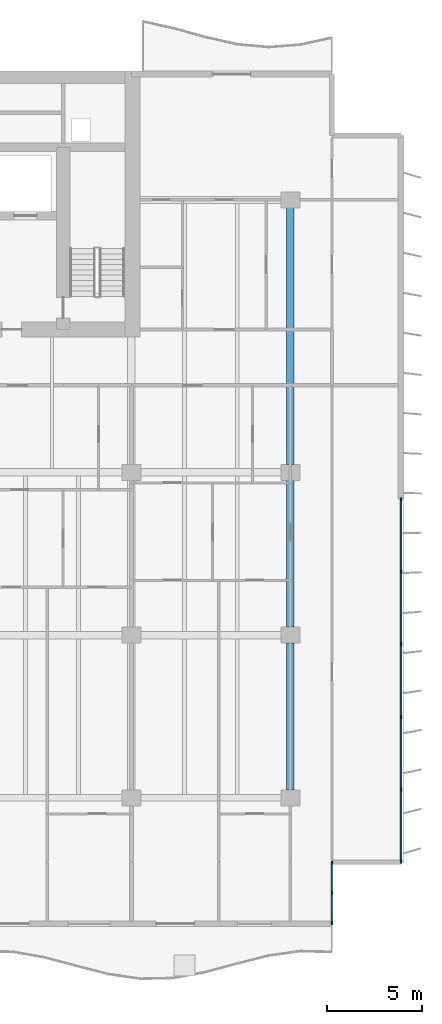
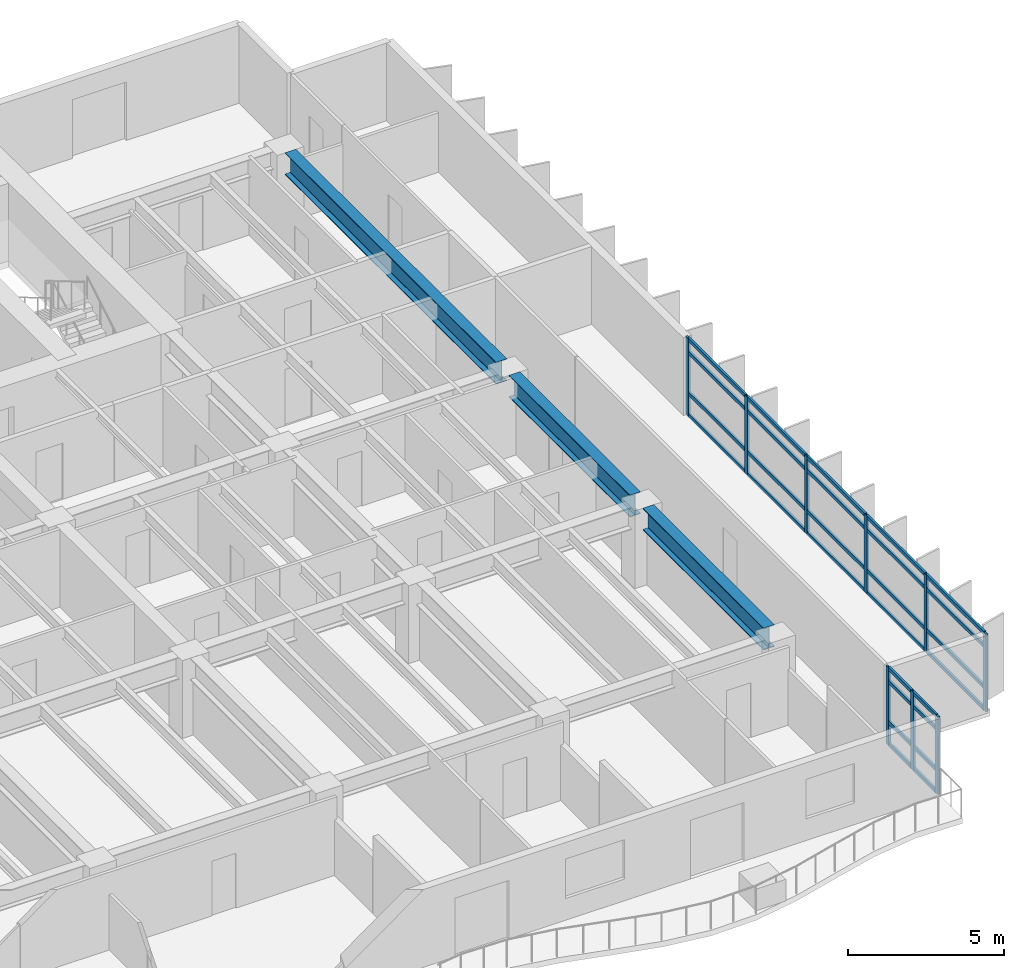
# One storey, part 4 of 15: 37 members, 3 beams, 2 elements without a shape of their own.
"""IFC4 building model written with IfcOpenShell, lengths in metres."""

from ifc_helpers import new_model, si_unit, direction, frame, origin, origin_2d, place, context, subcontext, project, spatial, rectangle, i_section, extrude, material, layer, layer_set, material_profile, profile_set, type_object, element, aggregate, save


model = new_model("IFC4")

# Units and contexts
model_context = context("Model", 3, precision=1e-05, world=origin(), true_north=direction((0.0, 1.0)))
body_context = subcontext(model_context, "Body", "Model", "MODEL_VIEW")
ifc_project = project(units=[si_unit("LENGTHUNIT", "METRE"), si_unit("AREAUNIT", "SQUARE_METRE"), si_unit("VOLUMEUNIT", "CUBIC_METRE"), si_unit("PLANEANGLEUNIT", "RADIAN"), si_unit("MASSUNIT", "GRAM", prefix="KILO")], contexts=[model_context])

# Site, building, storey
site_placement = place(None, origin())
site = spatial("IfcSite", under=ifc_project, at=site_placement, CompositionType="ELEMENT")
building_placement = place(site_placement, origin())
building = spatial("IfcBuilding", under=site, at=building_placement, Name="Caelmar Bay Residences", CompositionType="ELEMENT")
storey_placement = place(building_placement, frame((0.0, 0.0, 132.300048828125)))
storey = spatial("IfcBuildingStorey", under=building, at=storey_placement, Name="L36", CompositionType="ELEMENT", Elevation=132.300048828125)

# Beams
ifc_material_1 = material(Name="Steel ASTM A992 Grade 50", Category="steel")
ifc_material_profile_1 = material_profile(ifc_material_1, i_section(OverallWidth=0.40087890625, OverallDepth=0.861083984375, WebThickness=0.019775390625, FlangeThickness=0.032470703125, FilletRadius=0.017822265625, at=origin_2d()), Name="W33X221")
ifc_profile_set_1 = profile_set([ifc_material_profile_1], Name="Steel ASTM A992 Grade 50")
beam_type = type_object("IfcBeamType", Name="BM-GRD-W33X221", PredefinedType="BEAM", material=ifc_profile_set_1)
for number, where, z_axis, x_axis, name in (
    (1, (67.89990234375, 12.614990234375, 2.619384765625), (0.0, 1.0, 0.0), (-1.0, 0.0, 0.0), "L36 North-South Girder X=67.90 (12.2-20.8)"),
    (2, (67.89990234375, 21.215087890625, 2.619384765625), (0.0, 1.0, 0.0), (-1.0, 0.0, 0.0), "L36 North-South Girder X=67.90 (20.8-29.4)"),
):
    element("IfcBeam", number, at=place(storey_placement, frame(where, z_axis=z_axis, x_axis=x_axis)), inside=storey, type_object=beam_type, Name=name, PredefinedType="BEAM", context=body_context, shape_type="SweptSolid", body=[
        extrude(i_section(OverallWidth=0.40087890625, OverallDepth=0.861083984375, WebThickness=0.019775390625, FlangeThickness=0.032470703125, FilletRadius=0.017822265625, at=origin_2d()), origin(), (0.0, 0.0, 1.0), 7.77001953125),
    ])
beam_placement = place(storey_placement, frame((67.89990234375, 29.81494140625, 2.619384765625), z_axis=(0.0, 1.0, 0.0), x_axis=(-1.0, 0.0, 0.0)))
element("IfcBeam", 3, at=beam_placement, inside=storey, type_object=beam_type, Name="L36 North-South Girder X=67.90 (29.4-43.8)", PredefinedType="BEAM", context=body_context, shape_type="SweptSolid", body=[
    extrude(i_section(OverallWidth=0.40087890625, OverallDepth=0.861083984375, WebThickness=0.019775390625, FlangeThickness=0.032470703125, FilletRadius=0.017822265625, at=origin_2d()), origin(), (0.0, 0.0, 1.0), 13.570068359375),
])

# Curtain wall, members
ifc_material_2 = material(Name="Anodised bronze aluminium 6063-T6 and laminated glass", Category="aluminium")
ifc_layer_1 = layer(ifc_material_2, 0.179931640625)
ifc_layer_set_1 = layer_set([ifc_layer_1], Name="Anodised bronze aluminium 6063-T6 and laminated glass")
curtain_wall_type_1 = type_object("IfcCurtainWallType", Name="CW6-NTC", PredefinedType="NOTDEFINED", material=ifc_layer_set_1)
curtain_wall_1_placement = place(storey_placement, origin())
curtain_wall_1 = element("IfcCurtainWall", 4, at=curtain_wall_1_placement, inside=storey, type_object=curtain_wall_type_1, Name="CW6 curtain wall L36", PredefinedType="NOTDEFINED")
ifc_material_3 = material(Name="Anodised bronze aluminium 6063-T6", Category="aluminium")
ifc_material_profile_2 = material_profile(ifc_material_3, rectangle(XDim=0.080078125, YDim=0.179931640625, at=origin_2d()), Name="CWM-80X180")
ifc_profile_set_2 = profile_set([ifc_material_profile_2], Name="Anodised bronze aluminium 6063-T6")
member_type_1 = type_object("IfcMemberType", Name="CWM-180", PredefinedType="MULLION", material=ifc_profile_set_2)
member_1_placement = place(storey_placement, frame((70.10009765625, 5.590087890625, 0.0), z_axis=(0.0, 0.0, 1.0), x_axis=(-1.0, 0.0, 0.0)))
member_1 = element("IfcMember", 5, at=member_1_placement, type_object=member_type_1, Name="CW6 mullion 1", PredefinedType="MULLION", context=body_context, shape_type="SweptSolid", body=[
    extrude(rectangle(XDim=0.080078125, YDim=0.179931640625, at=origin_2d()), origin(), (0.0, 0.0, 1.0), 3.050048828125),
])
member_2_placement = place(storey_placement, frame((70.10009765625, 7.175048828125, 0.0), z_axis=(0.0, 0.0, 1.0), x_axis=(-1.0, 0.0, 0.0)))
member_2 = element("IfcMember", 6, at=member_2_placement, type_object=member_type_1, Name="CW6 mullion 2", PredefinedType="MULLION", context=body_context, shape_type="SweptSolid", body=[
    extrude(rectangle(XDim=0.080078125, YDim=0.179931640625, at=origin_2d()), origin(), (0.0, 0.0, 1.0), 3.050048828125),
])
member_3_placement = place(storey_placement, frame((70.10009765625, 8.760009765625, 0.0), z_axis=(0.0, 0.0, 1.0), x_axis=(-1.0, 0.0, 0.0)))
member_3 = element("IfcMember", 7, at=member_3_placement, type_object=member_type_1, Name="CW6 mullion 3", PredefinedType="MULLION", context=body_context, shape_type="SweptSolid", body=[
    extrude(rectangle(XDim=0.080078125, YDim=0.179931640625, at=origin_2d()), origin(), (0.0, 0.0, 1.0), 3.050048828125),
])

ifc_layer_2 = layer(ifc_material_2, 0.179931640625)
ifc_layer_set_2 = layer_set([ifc_layer_2], Name="Anodised bronze aluminium 6063-T6 and laminated glass")
curtain_wall_type_2 = type_object("IfcCurtainWallType", Name="CW3-Z2", PredefinedType="NOTDEFINED", material=ifc_layer_set_2)
curtain_wall_2_placement = place(storey_placement, origin())
curtain_wall_2 = element("IfcCurtainWall", 8, at=curtain_wall_2_placement, inside=storey, type_object=curtain_wall_type_2, Name="CW3 curtain wall L36", PredefinedType="NOTDEFINED")
member_4_placement = place(storey_placement, frame((73.75, 27.9599609375, 0.0), z_axis=(0.0, 0.0, 1.0), x_axis=(1.0, 0.0, 0.0)))
member_4 = element("IfcMember", 9, at=member_4_placement, type_object=member_type_1, Name="CW3 mullion 1", PredefinedType="MULLION", context=body_context, shape_type="SweptSolid", body=[
    extrude(rectangle(XDim=0.080078125, YDim=0.179931640625, at=origin_2d()), origin(), (0.0, 0.0, 1.0), 3.050048828125),
])
member_5_placement = place(storey_placement, frame((73.75, 24.159912109375, 0.0), z_axis=(0.0, 0.0, 1.0), x_axis=(1.0, 0.0, 0.0)))
member_5 = element("IfcMember", 10, at=member_5_placement, type_object=member_type_1, Name="CW3 mullion 2", PredefinedType="MULLION", context=body_context, shape_type="SweptSolid", body=[
    extrude(rectangle(XDim=0.080078125, YDim=0.179931640625, at=origin_2d()), origin(), (0.0, 0.0, 1.0), 3.050048828125),
])
member_6_placement = place(storey_placement, frame((73.75, 20.320068359375, 0.0), z_axis=(0.0, 0.0, 1.0), x_axis=(1.0, 0.0, 0.0)))
member_6 = element("IfcMember", 11, at=member_6_placement, type_object=member_type_1, Name="CW3 mullion 3", PredefinedType="MULLION", context=body_context, shape_type="SweptSolid", body=[
    extrude(rectangle(XDim=0.080078125, YDim=0.179931640625, at=origin_2d()), origin(), (0.0, 0.0, 1.0), 3.050048828125),
])
member_7_placement = place(storey_placement, frame((73.75, 16.47998046875, 0.0), z_axis=(0.0, 0.0, 1.0), x_axis=(1.0, 0.0, 0.0)))
member_7 = element("IfcMember", 12, at=member_7_placement, type_object=member_type_1, Name="CW3 mullion 4", PredefinedType="MULLION", context=body_context, shape_type="SweptSolid", body=[
    extrude(rectangle(XDim=0.080078125, YDim=0.179931640625, at=origin_2d()), origin(), (0.0, 0.0, 1.0), 3.050048828125),
])
member_8_placement = place(storey_placement, frame((73.75, 12.639892578125, 0.0), z_axis=(0.0, 0.0, 1.0), x_axis=(1.0, 0.0, 0.0)))
member_8 = element("IfcMember", 13, at=member_8_placement, type_object=member_type_1, Name="CW3 mullion 5", PredefinedType="MULLION", context=body_context, shape_type="SweptSolid", body=[
    extrude(rectangle(XDim=0.080078125, YDim=0.179931640625, at=origin_2d()), origin(), (0.0, 0.0, 1.0), 3.050048828125),
])
member_9_placement = place(storey_placement, frame((73.75, 8.840087890625, 0.0), z_axis=(0.0, 0.0, 1.0), x_axis=(1.0, 0.0, 0.0)))
member_9 = element("IfcMember", 14, at=member_9_placement, type_object=member_type_1, Name="CW3 mullion 6", PredefinedType="MULLION", context=body_context, shape_type="SweptSolid", body=[
    extrude(rectangle(XDim=0.080078125, YDim=0.179931640625, at=origin_2d()), origin(), (0.0, 0.0, 1.0), 3.050048828125),
])

# Member
ifc_material_profile_3 = material_profile(ifc_material_3, rectangle(XDim=0.080078125, YDim=0.139892578125, at=origin_2d()), Name="CWT-80X140")
ifc_profile_set_3 = profile_set([ifc_material_profile_3], Name="Anodised bronze aluminium 6063-T6")
member_type_2 = type_object("IfcMemberType", Name="CWT-140", PredefinedType="NOTDEFINED", material=ifc_profile_set_3)
member_10_placement = place(storey_placement, frame((70.10009765625, 5.6298828125, 0.0400390625), z_axis=(0.0, 1.0, 0.0), x_axis=(-1.0, 0.0, 0.0)))
member_10 = element("IfcMember", 15, at=member_10_placement, type_object=member_type_2, Name="CW6 transom 1.1", ObjectType="TRANSOM", PredefinedType="USERDEFINED", context=body_context, shape_type="SweptSolid", body=[
    extrude(rectangle(XDim=0.080078125, YDim=0.139892578125, at=origin_2d()), origin(), (0.0, 0.0, 1.0), 1.505126953125),
])

member_11_placement = place(storey_placement, frame((70.10009765625, 5.6298828125, 0.89990234375), z_axis=(0.0, 1.0, 0.0), x_axis=(-1.0, 0.0, 0.0)))
member_11 = element("IfcMember", 16, at=member_11_placement, type_object=member_type_2, Name="CW6 transom 1.2", ObjectType="TRANSOM", PredefinedType="USERDEFINED", context=body_context, shape_type="SweptSolid", body=[
    extrude(rectangle(XDim=0.080078125, YDim=0.139892578125, at=origin_2d()), origin(), (0.0, 0.0, 1.0), 1.505126953125),
])

member_12_placement = place(storey_placement, frame((70.10009765625, 5.6298828125, 2.5), z_axis=(0.0, 1.0, 0.0), x_axis=(-1.0, 0.0, 0.0)))
member_12 = element("IfcMember", 17, at=member_12_placement, type_object=member_type_2, Name="CW6 transom 1.3", ObjectType="TRANSOM", PredefinedType="USERDEFINED", context=body_context, shape_type="SweptSolid", body=[
    extrude(rectangle(XDim=0.080078125, YDim=0.139892578125, at=origin_2d()), origin(), (0.0, 0.0, 1.0), 1.505126953125),
])

member_13_placement = place(storey_placement, frame((70.10009765625, 5.6298828125, 3.010009765625), z_axis=(0.0, 1.0, 0.0), x_axis=(-1.0, 0.0, 0.0)))
member_13 = element("IfcMember", 18, at=member_13_placement, type_object=member_type_2, Name="CW6 transom 1.4", ObjectType="TRANSOM", PredefinedType="USERDEFINED", context=body_context, shape_type="SweptSolid", body=[
    extrude(rectangle(XDim=0.080078125, YDim=0.139892578125, at=origin_2d()), origin(), (0.0, 0.0, 1.0), 1.505126953125),
])

member_14_placement = place(storey_placement, frame((70.10009765625, 7.215087890625, 0.0400390625), z_axis=(0.0, 1.0, 0.0), x_axis=(-1.0, 0.0, 0.0)))
member_14 = element("IfcMember", 19, at=member_14_placement, type_object=member_type_2, Name="CW6 transom 2.1", ObjectType="TRANSOM", PredefinedType="USERDEFINED", context=body_context, shape_type="SweptSolid", body=[
    extrude(rectangle(XDim=0.080078125, YDim=0.139892578125, at=origin_2d()), origin(), (0.0, 0.0, 1.0), 1.5048828125),
])

member_15_placement = place(storey_placement, frame((70.10009765625, 7.215087890625, 0.89990234375), z_axis=(0.0, 1.0, 0.0), x_axis=(-1.0, 0.0, 0.0)))
member_15 = element("IfcMember", 20, at=member_15_placement, type_object=member_type_2, Name="CW6 transom 2.2", ObjectType="TRANSOM", PredefinedType="USERDEFINED", context=body_context, shape_type="SweptSolid", body=[
    extrude(rectangle(XDim=0.080078125, YDim=0.139892578125, at=origin_2d()), origin(), (0.0, 0.0, 1.0), 1.5048828125),
])

member_16_placement = place(storey_placement, frame((70.10009765625, 7.215087890625, 2.5), z_axis=(0.0, 1.0, 0.0), x_axis=(-1.0, 0.0, 0.0)))
member_16 = element("IfcMember", 21, at=member_16_placement, type_object=member_type_2, Name="CW6 transom 2.3", ObjectType="TRANSOM", PredefinedType="USERDEFINED", context=body_context, shape_type="SweptSolid", body=[
    extrude(rectangle(XDim=0.080078125, YDim=0.139892578125, at=origin_2d()), origin(), (0.0, 0.0, 1.0), 1.5048828125),
])

member_17_placement = place(storey_placement, frame((70.10009765625, 7.215087890625, 3.010009765625), z_axis=(0.0, 1.0, 0.0), x_axis=(-1.0, 0.0, 0.0)))
member_17 = element("IfcMember", 22, at=member_17_placement, type_object=member_type_2, Name="CW6 transom 2.4", ObjectType="TRANSOM", PredefinedType="USERDEFINED", context=body_context, shape_type="SweptSolid", body=[
    extrude(rectangle(XDim=0.080078125, YDim=0.139892578125, at=origin_2d()), origin(), (0.0, 0.0, 1.0), 1.5048828125),
])

aggregate(curtain_wall_1, [member_1, member_2, member_3, member_10, member_11, member_12, member_13, member_14, member_15, member_16, member_17])

member_18_placement = place(storey_placement, frame((73.75, 27.919921875, 0.0400390625), z_axis=(0.0, -1.0, 0.0), x_axis=(1.0, 0.0, 0.0)))
member_18 = element("IfcMember", 23, at=member_18_placement, type_object=member_type_2, Name="CW3 transom 1.1", ObjectType="TRANSOM", PredefinedType="USERDEFINED", context=body_context, shape_type="SweptSolid", body=[
    extrude(rectangle(XDim=0.080078125, YDim=0.139892578125, at=origin_2d()), origin(), (0.0, 0.0, 1.0), 3.719970703125),
])

member_19_placement = place(storey_placement, frame((73.75, 27.919921875, 0.89990234375), z_axis=(0.0, -1.0, 0.0), x_axis=(1.0, 0.0, 0.0)))
member_19 = element("IfcMember", 24, at=member_19_placement, type_object=member_type_2, Name="CW3 transom 1.2", ObjectType="TRANSOM", PredefinedType="USERDEFINED", context=body_context, shape_type="SweptSolid", body=[
    extrude(rectangle(XDim=0.080078125, YDim=0.139892578125, at=origin_2d()), origin(), (0.0, 0.0, 1.0), 3.719970703125),
])

member_20_placement = place(storey_placement, frame((73.75, 27.919921875, 2.5), z_axis=(0.0, -1.0, 0.0), x_axis=(1.0, 0.0, 0.0)))
member_20 = element("IfcMember", 25, at=member_20_placement, type_object=member_type_2, Name="CW3 transom 1.3", ObjectType="TRANSOM", PredefinedType="USERDEFINED", context=body_context, shape_type="SweptSolid", body=[
    extrude(rectangle(XDim=0.080078125, YDim=0.139892578125, at=origin_2d()), origin(), (0.0, 0.0, 1.0), 3.719970703125),
])

member_21_placement = place(storey_placement, frame((73.75, 27.919921875, 3.010009765625), z_axis=(0.0, -1.0, 0.0), x_axis=(1.0, 0.0, 0.0)))
member_21 = element("IfcMember", 26, at=member_21_placement, type_object=member_type_2, Name="CW3 transom 1.4", ObjectType="TRANSOM", PredefinedType="USERDEFINED", context=body_context, shape_type="SweptSolid", body=[
    extrude(rectangle(XDim=0.080078125, YDim=0.139892578125, at=origin_2d()), origin(), (0.0, 0.0, 1.0), 3.719970703125),
])

member_22_placement = place(storey_placement, frame((73.75, 24.1201171875, 0.0400390625), z_axis=(0.0, -1.0, 0.0), x_axis=(1.0, 0.0, 0.0)))
member_22 = element("IfcMember", 27, at=member_22_placement, type_object=member_type_2, Name="CW3 transom 2.1", ObjectType="TRANSOM", PredefinedType="USERDEFINED", context=body_context, shape_type="SweptSolid", body=[
    extrude(rectangle(XDim=0.080078125, YDim=0.139892578125, at=origin_2d()), origin(), (0.0, 0.0, 1.0), 3.760009765625),
])

member_23_placement = place(storey_placement, frame((73.75, 24.1201171875, 0.89990234375), z_axis=(0.0, -1.0, 0.0), x_axis=(1.0, 0.0, 0.0)))
member_23 = element("IfcMember", 28, at=member_23_placement, type_object=member_type_2, Name="CW3 transom 2.2", ObjectType="TRANSOM", PredefinedType="USERDEFINED", context=body_context, shape_type="SweptSolid", body=[
    extrude(rectangle(XDim=0.080078125, YDim=0.139892578125, at=origin_2d()), origin(), (0.0, 0.0, 1.0), 3.760009765625),
])

member_24_placement = place(storey_placement, frame((73.75, 24.1201171875, 2.5), z_axis=(0.0, -1.0, 0.0), x_axis=(1.0, 0.0, 0.0)))
member_24 = element("IfcMember", 29, at=member_24_placement, type_object=member_type_2, Name="CW3 transom 2.3", ObjectType="TRANSOM", PredefinedType="USERDEFINED", context=body_context, shape_type="SweptSolid", body=[
    extrude(rectangle(XDim=0.080078125, YDim=0.139892578125, at=origin_2d()), origin(), (0.0, 0.0, 1.0), 3.760009765625),
])

member_25_placement = place(storey_placement, frame((73.75, 24.1201171875, 3.010009765625), z_axis=(0.0, -1.0, 0.0), x_axis=(1.0, 0.0, 0.0)))
member_25 = element("IfcMember", 30, at=member_25_placement, type_object=member_type_2, Name="CW3 transom 2.4", ObjectType="TRANSOM", PredefinedType="USERDEFINED", context=body_context, shape_type="SweptSolid", body=[
    extrude(rectangle(XDim=0.080078125, YDim=0.139892578125, at=origin_2d()), origin(), (0.0, 0.0, 1.0), 3.760009765625),
])

member_26_placement = place(storey_placement, frame((73.75, 20.280029296875, 0.0400390625), z_axis=(0.0, -1.0, 0.0), x_axis=(1.0, 0.0, 0.0)))
member_26 = element("IfcMember", 31, at=member_26_placement, type_object=member_type_2, Name="CW3 transom 3.1", ObjectType="TRANSOM", PredefinedType="USERDEFINED", context=body_context, shape_type="SweptSolid", body=[
    extrude(rectangle(XDim=0.080078125, YDim=0.139892578125, at=origin_2d()), origin(), (0.0, 0.0, 1.0), 3.760009765625),
])

member_27_placement = place(storey_placement, frame((73.75, 20.280029296875, 0.89990234375), z_axis=(0.0, -1.0, 0.0), x_axis=(1.0, 0.0, 0.0)))
member_27 = element("IfcMember", 32, at=member_27_placement, type_object=member_type_2, Name="CW3 transom 3.2", ObjectType="TRANSOM", PredefinedType="USERDEFINED", context=body_context, shape_type="SweptSolid", body=[
    extrude(rectangle(XDim=0.080078125, YDim=0.139892578125, at=origin_2d()), origin(), (0.0, 0.0, 1.0), 3.760009765625),
])

member_28_placement = place(storey_placement, frame((73.75, 20.280029296875, 2.5), z_axis=(0.0, -1.0, 0.0), x_axis=(1.0, 0.0, 0.0)))
member_28 = element("IfcMember", 33, at=member_28_placement, type_object=member_type_2, Name="CW3 transom 3.3", ObjectType="TRANSOM", PredefinedType="USERDEFINED", context=body_context, shape_type="SweptSolid", body=[
    extrude(rectangle(XDim=0.080078125, YDim=0.139892578125, at=origin_2d()), origin(), (0.0, 0.0, 1.0), 3.760009765625),
])

member_29_placement = place(storey_placement, frame((73.75, 20.280029296875, 3.010009765625), z_axis=(0.0, -1.0, 0.0), x_axis=(1.0, 0.0, 0.0)))
member_29 = element("IfcMember", 34, at=member_29_placement, type_object=member_type_2, Name="CW3 transom 3.4", ObjectType="TRANSOM", PredefinedType="USERDEFINED", context=body_context, shape_type="SweptSolid", body=[
    extrude(rectangle(XDim=0.080078125, YDim=0.139892578125, at=origin_2d()), origin(), (0.0, 0.0, 1.0), 3.760009765625),
])

member_30_placement = place(storey_placement, frame((73.75, 16.43994140625, 0.0400390625), z_axis=(0.0, -1.0, 0.0), x_axis=(1.0, 0.0, 0.0)))
member_30 = element("IfcMember", 35, at=member_30_placement, type_object=member_type_2, Name="CW3 transom 4.1", ObjectType="TRANSOM", PredefinedType="USERDEFINED", context=body_context, shape_type="SweptSolid", body=[
    extrude(rectangle(XDim=0.080078125, YDim=0.139892578125, at=origin_2d()), origin(), (0.0, 0.0, 1.0), 3.760009765625),
])

member_31_placement = place(storey_placement, frame((73.75, 16.43994140625, 0.89990234375), z_axis=(0.0, -1.0, 0.0), x_axis=(1.0, 0.0, 0.0)))
member_31 = element("IfcMember", 36, at=member_31_placement, type_object=member_type_2, Name="CW3 transom 4.2", ObjectType="TRANSOM", PredefinedType="USERDEFINED", context=body_context, shape_type="SweptSolid", body=[
    extrude(rectangle(XDim=0.080078125, YDim=0.139892578125, at=origin_2d()), origin(), (0.0, 0.0, 1.0), 3.760009765625),
])

member_32_placement = place(storey_placement, frame((73.75, 16.43994140625, 2.5), z_axis=(0.0, -1.0, 0.0), x_axis=(1.0, 0.0, 0.0)))
member_32 = element("IfcMember", 37, at=member_32_placement, type_object=member_type_2, Name="CW3 transom 4.3", ObjectType="TRANSOM", PredefinedType="USERDEFINED", context=body_context, shape_type="SweptSolid", body=[
    extrude(rectangle(XDim=0.080078125, YDim=0.139892578125, at=origin_2d()), origin(), (0.0, 0.0, 1.0), 3.760009765625),
])

member_33_placement = place(storey_placement, frame((73.75, 16.43994140625, 3.010009765625), z_axis=(0.0, -1.0, 0.0), x_axis=(1.0, 0.0, 0.0)))
member_33 = element("IfcMember", 38, at=member_33_placement, type_object=member_type_2, Name="CW3 transom 4.4", ObjectType="TRANSOM", PredefinedType="USERDEFINED", context=body_context, shape_type="SweptSolid", body=[
    extrude(rectangle(XDim=0.080078125, YDim=0.139892578125, at=origin_2d()), origin(), (0.0, 0.0, 1.0), 3.760009765625),
])

member_34_placement = place(storey_placement, frame((73.75, 12.60009765625, 0.0400390625), z_axis=(0.0, -1.0, 0.0), x_axis=(1.0, 0.0, 0.0)))
member_34 = element("IfcMember", 39, at=member_34_placement, type_object=member_type_2, Name="CW3 transom 5.1", ObjectType="TRANSOM", PredefinedType="USERDEFINED", context=body_context, shape_type="SweptSolid", body=[
    extrude(rectangle(XDim=0.080078125, YDim=0.139892578125, at=origin_2d()), origin(), (0.0, 0.0, 1.0), 3.72021484375),
])

member_35_placement = place(storey_placement, frame((73.75, 12.60009765625, 0.89990234375), z_axis=(0.0, -1.0, 0.0), x_axis=(1.0, 0.0, 0.0)))
member_35 = element("IfcMember", 40, at=member_35_placement, type_object=member_type_2, Name="CW3 transom 5.2", ObjectType="TRANSOM", PredefinedType="USERDEFINED", context=body_context, shape_type="SweptSolid", body=[
    extrude(rectangle(XDim=0.080078125, YDim=0.139892578125, at=origin_2d()), origin(), (0.0, 0.0, 1.0), 3.72021484375),
])

member_36_placement = place(storey_placement, frame((73.75, 12.60009765625, 2.5), z_axis=(0.0, -1.0, 0.0), x_axis=(1.0, 0.0, 0.0)))
member_36 = element("IfcMember", 41, at=member_36_placement, type_object=member_type_2, Name="CW3 transom 5.3", ObjectType="TRANSOM", PredefinedType="USERDEFINED", context=body_context, shape_type="SweptSolid", body=[
    extrude(rectangle(XDim=0.080078125, YDim=0.139892578125, at=origin_2d()), origin(), (0.0, 0.0, 1.0), 3.72021484375),
])

member_37_placement = place(storey_placement, frame((73.75, 12.60009765625, 3.010009765625), z_axis=(0.0, -1.0, 0.0), x_axis=(1.0, 0.0, 0.0)))
member_37 = element("IfcMember", 42, at=member_37_placement, type_object=member_type_2, Name="CW3 transom 5.4", ObjectType="TRANSOM", PredefinedType="USERDEFINED", context=body_context, shape_type="SweptSolid", body=[
    extrude(rectangle(XDim=0.080078125, YDim=0.139892578125, at=origin_2d()), origin(), (0.0, 0.0, 1.0), 3.72021484375),
])

aggregate(curtain_wall_2, [member_4, member_5, member_6, member_7, member_8, member_9, member_18, member_19, member_20, member_21, member_22, member_23, member_24, member_25, member_26, member_27, member_28, member_29, member_30, member_31, member_32, member_33, member_34, member_35, member_36, member_37])

save(model, "model.ifc")
